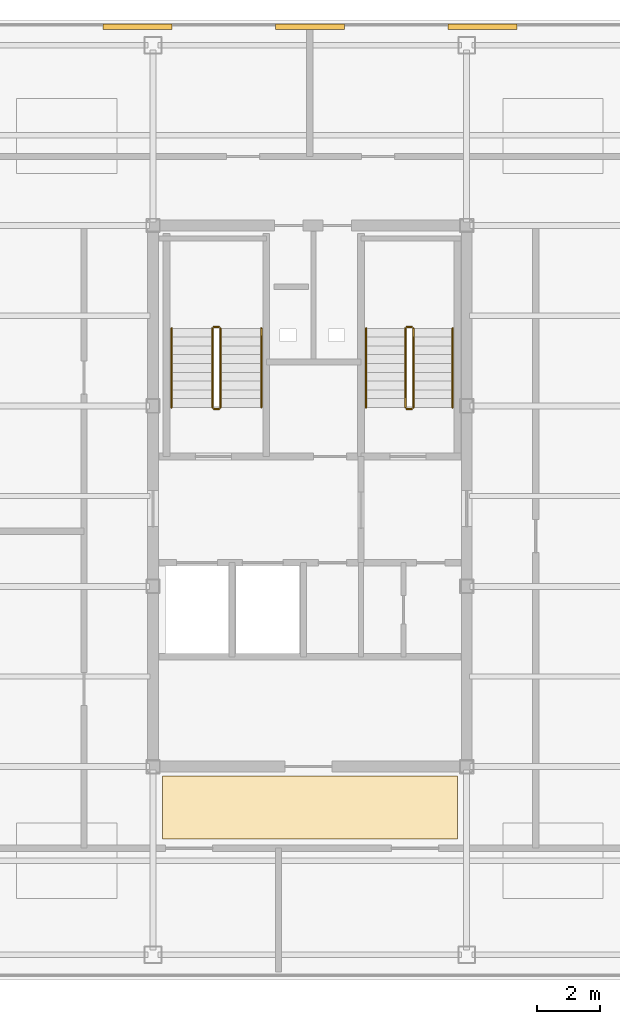
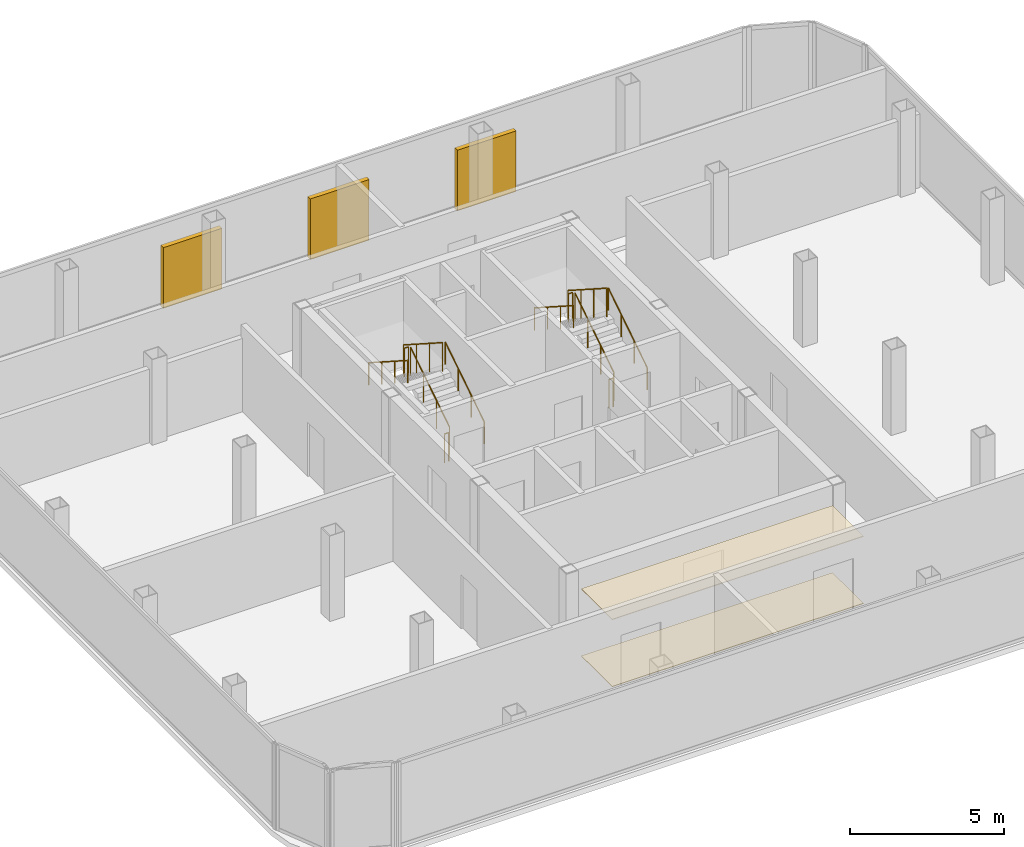
# One storey, part 11 of 11: 12 railings, 3 shading devices, 2 coverings.
"""IFC4 building model written with IfcOpenShell, lengths in metres."""

from ifc_helpers import new_model, si_unit, direction, frame, origin, origin_2d, place, context, subcontext, project, spatial, polyline, rectangle, circle, outline, extrude, source, transform, mapped, material, layer, layer_set, type_object, element, save


model = new_model("IFC4")

# Units and contexts
model_context = context("Model", 3, precision=1e-05, world=origin(), true_north=direction((0.0, 1.0)))
body_context = subcontext(model_context, "Body", "Model", "MODEL_VIEW")
ifc_project = project(units=[si_unit("LENGTHUNIT", "METRE"), si_unit("AREAUNIT", "SQUARE_METRE"), si_unit("VOLUMEUNIT", "CUBIC_METRE"), si_unit("PLANEANGLEUNIT", "RADIAN"), si_unit("MASSUNIT", "GRAM", prefix="KILO")], contexts=[model_context])

# Site, building, storey
site_placement = place(None, origin())
site = spatial("IfcSite", under=ifc_project, at=site_placement, CompositionType="ELEMENT")
building_placement = place(site_placement, origin())
building = spatial("IfcBuilding", under=site, at=building_placement, Name="Kolveth Station Tower", CompositionType="ELEMENT")
storey_placement = place(building_placement, frame((0.0, 0.0, 274.89990234375)))
storey = spatial("IfcBuildingStorey", under=building, at=storey_placement, Name="L79", CompositionType="ELEMENT", Elevation=274.89990234375)

# Coverings
ifc_material_1 = material(Name="Acoustic mineral-fibre ceiling tile")
ifc_layer_1 = layer(ifc_material_1, 0.02490234375)
ifc_layer_set_1 = layer_set([ifc_layer_1], Name="Acoustic mineral-fibre ceiling tile")
covering_type_1 = type_object("IfcCoveringType", Name="Ceil_CL1", PredefinedType="CEILING", material=ifc_layer_set_1)
covering_1_placement = place(storey_placement, frame((0.0, 0.0, 2.650146484375)))
element("IfcCovering", 1, at=covering_1_placement, inside=storey, type_object=covering_type_1, Name="L79 Lift Lobby Suspended Ceiling", PredefinedType="CEILING", context=body_context, shape_type="SweptSolid", body=[
    extrude(outline(polyline([(18.800048828125, 9.199951171875), (28.199951171875, 9.199951171875), (28.199951171875, 11.199951171875), (18.800048828125, 11.199951171875), (18.800048828125, 9.199951171875)])), origin(), (0.0, 0.0, 1.0), 0.02490234375),
])
ifc_material_2 = material(Name="Honed terrazzo flooring")
ifc_layer_2 = layer(ifc_material_2, 0.02001953125)
ifc_layer_set_2 = layer_set([ifc_layer_2], Name="Honed terrazzo flooring")
covering_type_2 = type_object("IfcCoveringType", Name="Floor_FL1", PredefinedType="FLOORING", material=ifc_layer_set_2)
covering_2_placement = place(storey_placement, origin())
element("IfcCovering", 2, at=covering_2_placement, inside=storey, type_object=covering_type_2, Name="L79 Lift Lobby Floor Finish", PredefinedType="FLOORING", context=body_context, shape_type="SweptSolid", body=[
    extrude(outline(polyline([(18.800048828125, 9.199951171875), (28.199951171875, 9.199951171875), (28.199951171875, 11.199951171875), (18.800048828125, 11.199951171875), (18.800048828125, 9.199951171875)])), origin(), (0.0, 0.0, 1.0), 0.02001953125),
])

# Railings
ifc_material_3 = material(Name="Painted Steel S355 balustrade", Category="steel")
railing_type_1 = type_object("IfcRailingType", Name="Guard_GR2", PredefinedType="BALUSTRADE", material=ifc_material_3)
railing_1_placement = place(storey_placement, frame((20.64990234375, 22.949951171875, 0.18017578125)))
element("IfcRailing", 3, at=railing_1_placement, inside=storey, type_object=railing_type_1, Name="L79 ST1 stair guard 1", PredefinedType="BALUSTRADE", context=body_context, shape_type="SweptSolid", body=[
    extrude(circle(Radius=0.02392578125, at=origin_2d()), frame((0.0, 0.0, 1.1259765625), z_axis=(0.0, 0.841199657755, 0.540724639528), x_axis=(-1.0, 0.0, 0.0)), (0.0, 0.0, 1.0), 2.995849609375),
    extrude(circle(Radius=0.02099609375, at=origin_2d()), origin(), (0.0, 0.0, 1.0), 1.101806640625),
    extrude(circle(Radius=0.02099609375, at=origin_2d()), frame((0.0, 0.840087890625, 0.5400390625)), (0.0, 0.0, 1.0), 1.101806640625),
    extrude(circle(Radius=0.02099609375, at=origin_2d()), frame((0.0, 1.679931640625, 1.079833984375)), (0.0, 0.0, 1.0), 1.101806640625),
    extrude(circle(Radius=0.02099609375, at=origin_2d()), frame((0.0, 2.52001953125, 1.619873046875)), (0.0, 0.0, 1.0), 1.101806640625),
])
railing_2_placement = place(storey_placement, frame((20.60009765625, 25.52001953125, 1.800048828125)))
element("IfcRailing", 4, at=railing_2_placement, inside=storey, type_object=railing_type_1, Name="L79 ST1 stair guard 2", PredefinedType="BALUSTRADE", context=body_context, shape_type="SweptSolid", body=[
    extrude(circle(Radius=0.02392578125, at=origin_2d()), frame((0.0, 0.0, 1.1259765625), z_axis=(-1.0, 0.0, 0.0), x_axis=(0.0, -1.0, 0.0)), (0.0, 0.0, 1.0), 0.16015625),
    extrude(circle(Radius=0.02099609375, at=origin_2d()), origin(), (0.0, 0.0, 1.0), 1.101806640625),
    extrude(circle(Radius=0.02099609375, at=origin_2d()), frame((-0.16015625, 0.0, 0.0)), (0.0, 0.0, 1.0), 1.101806640625),
])
railing_3_placement = place(storey_placement, frame((20.389892578125, 25.469970703125, 1.97998046875)))
element("IfcRailing", 5, at=railing_3_placement, inside=storey, type_object=railing_type_1, Name="L79 ST1 stair guard 3", PredefinedType="BALUSTRADE", context=body_context, shape_type="SweptSolid", body=[
    extrude(circle(Radius=0.02392578125, at=origin_2d()), frame((0.0, 0.0, 1.1259765625), z_axis=(0.0, -0.841162588446, 0.540782303519), x_axis=(1.0, 0.0, 0.0)), (0.0, 0.0, 1.0), 2.995849609375),
    extrude(circle(Radius=0.02099609375, at=origin_2d()), origin(), (0.0, 0.0, 1.0), 1.101806640625),
    extrude(circle(Radius=0.02099609375, at=origin_2d()), frame((0.0, -0.840087890625, 0.5400390625)), (0.0, 0.0, 1.0), 1.101806640625),
    extrude(circle(Radius=0.02099609375, at=origin_2d()), frame((0.0, -1.679931640625, 1.080078125)), (0.0, 0.0, 1.0), 1.101806640625),
    extrude(circle(Radius=0.02099609375, at=origin_2d()), frame((0.0, -2.52001953125, 1.6201171875)), (0.0, 0.0, 1.0), 1.101806640625),
])
railing_4_placement = place(storey_placement, frame((20.60009765625, 22.89990234375, 0.0)))
element("IfcRailing", 6, at=railing_4_placement, inside=storey, type_object=railing_type_1, Name="L79 ST1 stair guard 4", PredefinedType="BALUSTRADE", context=body_context, shape_type="SweptSolid", body=[
    extrude(circle(Radius=0.02392578125, at=origin_2d()), frame((0.0, 0.0, 1.1259765625), z_axis=(-1.0, 0.0, 0.0), x_axis=(0.0, -1.0, 0.0)), (0.0, 0.0, 1.0), 0.16015625),
    extrude(circle(Radius=0.02099609375, at=origin_2d()), origin(), (0.0, 0.0, 1.0), 1.101806640625),
    extrude(circle(Radius=0.02099609375, at=origin_2d()), frame((-0.16015625, 0.0, 0.0)), (0.0, 0.0, 1.0), 1.101806640625),
])
railing_5_placement = place(storey_placement, frame((26.800048828125, 22.949951171875, 0.18017578125)))
element("IfcRailing", 7, at=railing_5_placement, inside=storey, type_object=railing_type_1, Name="L79 ST2 stair guard 1", PredefinedType="BALUSTRADE", context=body_context, shape_type="SweptSolid", body=[
    extrude(circle(Radius=0.02392578125, at=origin_2d()), frame((0.0, 0.0, 1.1259765625), z_axis=(0.0, 0.841199657755, 0.540724639528), x_axis=(-1.0, 0.0, 0.0)), (0.0, 0.0, 1.0), 2.995849609375),
    extrude(circle(Radius=0.02099609375, at=origin_2d()), origin(), (0.0, 0.0, 1.0), 1.101806640625),
    extrude(circle(Radius=0.02099609375, at=origin_2d()), frame((0.0, 0.840087890625, 0.5400390625)), (0.0, 0.0, 1.0), 1.101806640625),
    extrude(circle(Radius=0.02099609375, at=origin_2d()), frame((0.0, 1.679931640625, 1.079833984375)), (0.0, 0.0, 1.0), 1.101806640625),
    extrude(circle(Radius=0.02099609375, at=origin_2d()), frame((0.0, 2.52001953125, 1.619873046875)), (0.0, 0.0, 1.0), 1.101806640625),
])
railing_6_placement = place(storey_placement, frame((26.75, 25.52001953125, 1.800048828125)))
element("IfcRailing", 8, at=railing_6_placement, inside=storey, type_object=railing_type_1, Name="L79 ST2 stair guard 2", PredefinedType="BALUSTRADE", context=body_context, shape_type="SweptSolid", body=[
    extrude(circle(Radius=0.02392578125, at=origin_2d()), frame((0.0, 0.0, 1.1259765625), z_axis=(-1.0, 0.0, 0.0), x_axis=(0.0, -1.0, 0.0)), (0.0, 0.0, 1.0), 0.159912109375),
    extrude(circle(Radius=0.02099609375, at=origin_2d()), origin(), (0.0, 0.0, 1.0), 1.101806640625),
    extrude(circle(Radius=0.02099609375, at=origin_2d()), frame((-0.159912109375, 0.0, 0.0)), (0.0, 0.0, 1.0), 1.101806640625),
])
railing_7_placement = place(storey_placement, frame((26.5400390625, 25.469970703125, 1.97998046875)))
element("IfcRailing", 9, at=railing_7_placement, inside=storey, type_object=railing_type_1, Name="L79 ST2 stair guard 3", PredefinedType="BALUSTRADE", context=body_context, shape_type="SweptSolid", body=[
    extrude(circle(Radius=0.02392578125, at=origin_2d()), frame((0.0, 0.0, 1.1259765625), z_axis=(0.0, -0.841162588446, 0.540782303519), x_axis=(1.0, 0.0, 0.0)), (0.0, 0.0, 1.0), 2.995849609375),
    extrude(circle(Radius=0.02099609375, at=origin_2d()), origin(), (0.0, 0.0, 1.0), 1.101806640625),
    extrude(circle(Radius=0.02099609375, at=origin_2d()), frame((0.0, -0.840087890625, 0.5400390625)), (0.0, 0.0, 1.0), 1.101806640625),
    extrude(circle(Radius=0.02099609375, at=origin_2d()), frame((0.0, -1.679931640625, 1.080078125)), (0.0, 0.0, 1.0), 1.101806640625),
    extrude(circle(Radius=0.02099609375, at=origin_2d()), frame((0.0, -2.52001953125, 1.6201171875)), (0.0, 0.0, 1.0), 1.101806640625),
])
railing_8_placement = place(storey_placement, frame((26.75, 22.89990234375, 0.0)))
element("IfcRailing", 10, at=railing_8_placement, inside=storey, type_object=railing_type_1, Name="L79 ST2 stair guard 4", PredefinedType="BALUSTRADE", context=body_context, shape_type="SweptSolid", body=[
    extrude(circle(Radius=0.02392578125, at=origin_2d()), frame((0.0, 0.0, 1.1259765625), z_axis=(-1.0, 0.0, 0.0), x_axis=(0.0, -1.0, 0.0)), (0.0, 0.0, 1.0), 0.159912109375),
    extrude(circle(Radius=0.02099609375, at=origin_2d()), origin(), (0.0, 0.0, 1.0), 1.101806640625),
    extrude(circle(Radius=0.02099609375, at=origin_2d()), frame((-0.159912109375, 0.0, 0.0)), (0.0, 0.0, 1.0), 1.101806640625),
])
ifc_material_4 = material(Name="Brushed stainless steel", Category="steel")
railing_type_2 = type_object("IfcRailingType", Name="Handrail_HR1", PredefinedType="HANDRAIL", material=ifc_material_4)
railing_9_placement = place(storey_placement, frame((21.949951171875, 22.949951171875, 0.18017578125)))
element("IfcRailing", 11, at=railing_9_placement, inside=storey, type_object=railing_type_2, Name="L79 ST1 stair handrail 1", PredefinedType="HANDRAIL", context=body_context, shape_type="SweptSolid", body=[
    extrude(circle(Radius=0.02392578125, at=origin_2d()), frame((0.0, 0.0, 0.8759765625), z_axis=(0.0, 0.841199657755, 0.540724639528), x_axis=(-1.0, 0.0, 0.0)), (0.0, 0.0, 1.0), 2.995849609375),
    extrude(circle(Radius=0.02099609375, at=origin_2d()), origin(), (0.0, 0.0, 1.0), 0.851806640625),
    extrude(circle(Radius=0.02099609375, at=origin_2d()), frame((0.0, 0.840087890625, 0.5400390625)), (0.0, 0.0, 1.0), 0.851806640625),
    extrude(circle(Radius=0.02099609375, at=origin_2d()), frame((0.0, 1.679931640625, 1.079833984375)), (0.0, 0.0, 1.0), 0.851806640625),
    extrude(circle(Radius=0.02099609375, at=origin_2d()), frame((0.0, 2.52001953125, 1.619873046875)), (0.0, 0.0, 1.0), 0.851806640625),
])
railing_10_placement = place(storey_placement, frame((19.090087890625, 25.469970703125, 1.97998046875)))
element("IfcRailing", 12, at=railing_10_placement, inside=storey, type_object=railing_type_2, Name="L79 ST1 stair handrail 2", PredefinedType="HANDRAIL", context=body_context, shape_type="SweptSolid", body=[
    extrude(circle(Radius=0.02392578125, at=origin_2d()), frame((0.0, 0.0, 0.8759765625), z_axis=(0.0, -0.841162588446, 0.540782303519), x_axis=(1.0, 0.0, 0.0)), (0.0, 0.0, 1.0), 2.995849609375),
    extrude(circle(Radius=0.02099609375, at=origin_2d()), origin(), (0.0, 0.0, 1.0), 0.851806640625),
    extrude(circle(Radius=0.02099609375, at=origin_2d()), frame((0.0, -0.840087890625, 0.5400390625)), (0.0, 0.0, 1.0), 0.851806640625),
    extrude(circle(Radius=0.02099609375, at=origin_2d()), frame((0.0, -1.679931640625, 1.080078125)), (0.0, 0.0, 1.0), 0.851806640625),
    extrude(circle(Radius=0.02099609375, at=origin_2d()), frame((0.0, -2.52001953125, 1.6201171875)), (0.0, 0.0, 1.0), 0.851806640625),
])
railing_11_placement = place(storey_placement, frame((28.050048828125, 22.949951171875, 0.18017578125)))
element("IfcRailing", 13, at=railing_11_placement, inside=storey, type_object=railing_type_2, Name="L79 ST2 stair handrail 1", PredefinedType="HANDRAIL", context=body_context, shape_type="SweptSolid", body=[
    extrude(circle(Radius=0.02392578125, at=origin_2d()), frame((0.0, 0.0, 0.8759765625), z_axis=(0.0, 0.841199657755, 0.540724639528), x_axis=(-1.0, 0.0, 0.0)), (0.0, 0.0, 1.0), 2.995849609375),
    extrude(circle(Radius=0.02099609375, at=origin_2d()), origin(), (0.0, 0.0, 1.0), 0.851806640625),
    extrude(circle(Radius=0.02099609375, at=origin_2d()), frame((0.0, 0.840087890625, 0.5400390625)), (0.0, 0.0, 1.0), 0.851806640625),
    extrude(circle(Radius=0.02099609375, at=origin_2d()), frame((0.0, 1.679931640625, 1.079833984375)), (0.0, 0.0, 1.0), 0.851806640625),
    extrude(circle(Radius=0.02099609375, at=origin_2d()), frame((0.0, 2.52001953125, 1.619873046875)), (0.0, 0.0, 1.0), 0.851806640625),
])
railing_12_placement = place(storey_placement, frame((25.2900390625, 25.469970703125, 1.97998046875)))
element("IfcRailing", 14, at=railing_12_placement, inside=storey, type_object=railing_type_2, Name="L79 ST2 stair handrail 2", PredefinedType="HANDRAIL", context=body_context, shape_type="SweptSolid", body=[
    extrude(circle(Radius=0.02392578125, at=origin_2d()), frame((0.0, 0.0, 0.8759765625), z_axis=(0.0, -0.841162588446, 0.540782303519), x_axis=(1.0, 0.0, 0.0)), (0.0, 0.0, 1.0), 2.995849609375),
    extrude(circle(Radius=0.02099609375, at=origin_2d()), origin(), (0.0, 0.0, 1.0), 0.851806640625),
    extrude(circle(Radius=0.02099609375, at=origin_2d()), frame((0.0, -0.840087890625, 0.5400390625)), (0.0, 0.0, 1.0), 0.851806640625),
    extrude(circle(Radius=0.02099609375, at=origin_2d()), frame((0.0, -1.679931640625, 1.080078125)), (0.0, 0.0, 1.0), 0.851806640625),
    extrude(circle(Radius=0.02099609375, at=origin_2d()), frame((0.0, -2.52001953125, 1.6201171875)), (0.0, 0.0, 1.0), 0.851806640625),
])

# Shading devices
ifc_material_5 = material(Name="Black anodized aluminium 6063-T6", Category="aluminium")
shading_device_type = type_object("IfcShadingDeviceType", Name="Louvre_LV1", PredefinedType="JALOUSIE", material=ifc_material_5)
shared_shape = source(origin(), body_context, "Body", "SweptSolid", [
    extrude(rectangle(XDim=2.199951171875, YDim=0.179931640625, at=origin_2d()), origin(), (0.0, 0.0, 1.0), 2.39990234375),
])
for number, where, z_axis, x_axis, name in (
    (15, (18.0, 35.080078125, 0.000244140625), (0.0, 0.0, 1.0), (1.0, 0.0, 0.0), "L79 Crown Plant Louvre 1"),
    (16, (23.5, 35.080078125, 0.000244140625), (0.0, 0.0, 1.0), (1.0, 0.0, 0.0), "L79 Crown Plant Louvre 2"),
    (17, (29.0, 35.080078125, 0.000244140625), (0.0, 0.0, 1.0), (1.0, 0.0, 0.0), "L79 Crown Plant Louvre 3"),
):
    element("IfcShadingDevice", number, at=place(storey_placement, frame(where, z_axis=z_axis, x_axis=x_axis)), inside=storey, type_object=shading_device_type, Name=name, PredefinedType="JALOUSIE", context=body_context, shape_type="MappedRepresentation", body=[
        mapped(shared_shape, transform((0.0, 0.0, 0.0), x_axis=(1.0, 0.0, 0.0), y_axis=(0.0, 1.0, 0.0), z_axis=(0.0, 0.0, 1.0), scale=1.0)),
    ])

save(model, "model.ifc")
